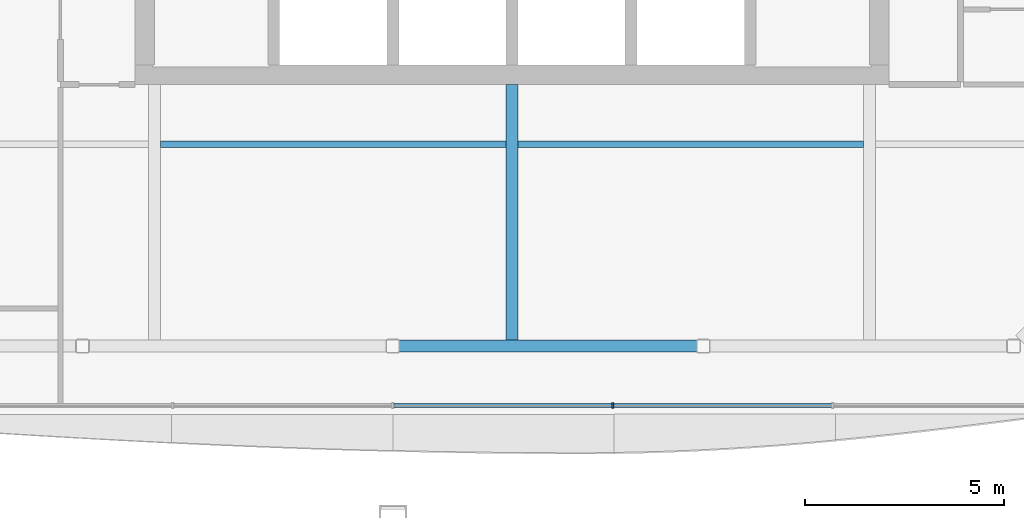
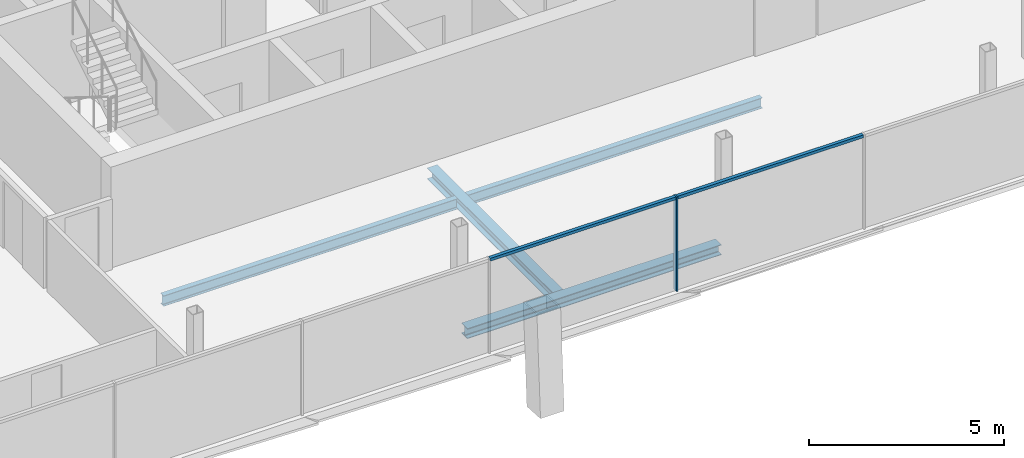
# One storey, part 5 of 20: 4 beams, 3 members, 1 element without a shape of its own.
"""IFC4 building model written with IfcOpenShell, lengths in metres."""

from ifc_helpers import new_model, si_unit, direction, frame, origin, origin_2d, place, context, subcontext, project, spatial, rectangle, i_section, extrude, material, material_profile, profile_set, type_object, element, aggregate, save


model = new_model("IFC4")

# Units and contexts
model_context = context("Model", 3, precision=1e-05, world=origin(), true_north=direction((0.0, 1.0)))
body_context = subcontext(model_context, "Body", "Model", "MODEL_VIEW")
ifc_project = project(units=[si_unit("LENGTHUNIT", "METRE"), si_unit("AREAUNIT", "SQUARE_METRE"), si_unit("VOLUMEUNIT", "CUBIC_METRE"), si_unit("PLANEANGLEUNIT", "RADIAN"), si_unit("MASSUNIT", "GRAM", prefix="KILO")], contexts=[model_context])

# Site, building, storey
site_placement = place(None, origin())
site = spatial("IfcSite", under=ifc_project, at=site_placement, CompositionType="ELEMENT")
building_placement = place(site_placement, origin())
building = spatial("IfcBuilding", under=site, at=building_placement, Name="Tskaro Facet Tower", CompositionType="ELEMENT")
storey_placement = place(building_placement, frame((0.0, 0.0, 194.25)))
storey = spatial("IfcBuildingStorey", under=building, at=storey_placement, Name="L49", CompositionType="ELEMENT", Elevation=194.25)

# Curtain wall, members
ifc_material_1 = material(Name="Bronze anodised aluminium 6063-T6", Category="aluminium")
curtain_wall_type = type_object("IfcCurtainWallType", Name="Bronze residence curtain wall (FW3)", PredefinedType="NOTDEFINED", material=ifc_material_1)
curtain_wall_placement = place(storey_placement, origin())
curtain_wall = element("IfcCurtainWall", 1, at=curtain_wall_placement, inside=storey, type_object=curtain_wall_type, Name="FW3 south facet L49", PredefinedType="NOTDEFINED")
ifc_material_profile_1 = material_profile(ifc_material_1, rectangle(XDim=0.050048828125, YDim=0.139892578125, at=origin_2d()), Name="Mullion 50x140")
ifc_profile_set_1 = profile_set([ifc_material_profile_1], Name="Bronze anodised aluminium 6063-T6")
member_type_1 = type_object("IfcMemberType", Name="FW3 bronze mullion 50x140", PredefinedType="MULLION", material=ifc_profile_set_1)
member_1_placement = place(storey_placement, frame((2.539306640625, -20.080078125, 0.0), z_axis=(0.0, 0.0, 1.0), x_axis=(1.0, 0.0, 0.0)))
member_1 = element("IfcMember", 2, at=member_1_placement, type_object=member_type_1, Name="FW3 south mullion 4", PredefinedType="MULLION", context=body_context, shape_type="SweptSolid", body=[
    extrude(rectangle(XDim=0.050048828125, YDim=0.139892578125, at=origin_2d()), origin(), (0.0, 0.0, 1.0), 2.949951171875),
])
ifc_material_profile_2 = material_profile(ifc_material_1, rectangle(XDim=0.10009765625, YDim=0.090087890625, at=origin_2d()), Name="Transom 100x90")
ifc_profile_set_2 = profile_set([ifc_material_profile_2], Name="Bronze anodised aluminium 6063-T6")
member_type_2 = type_object("IfcMemberType", Name="FW3 bronze transom 100x90", PredefinedType="USERDEFINED", material=ifc_profile_set_2)
member_2_placement = place(storey_placement, frame((-2.97509765625, -20.080078125, 2.905029296875), z_axis=(1.0, 0.0, 0.0), x_axis=(0.0, 1.0, 0.0)))
member_2 = element("IfcMember", 3, at=member_2_placement, type_object=member_type_2, Name="FW3 south transom 4.1", ObjectType="TRANSOM", PredefinedType="USERDEFINED", context=body_context, shape_type="SweptSolid", body=[
    extrude(rectangle(XDim=0.10009765625, YDim=0.090087890625, at=origin_2d()), origin(), (0.0, 0.0, 1.0), 5.489501953125),
])
member_3_placement = place(storey_placement, frame((2.564453125, -20.080078125, 2.905029296875), z_axis=(1.0, 0.0, 0.0), x_axis=(0.0, 1.0, 0.0)))
member_3 = element("IfcMember", 4, at=member_3_placement, type_object=member_type_2, Name="FW3 south transom 5.1", ObjectType="TRANSOM", PredefinedType="USERDEFINED", context=body_context, shape_type="SweptSolid", body=[
    extrude(rectangle(XDim=0.10009765625, YDim=0.090087890625, at=origin_2d()), origin(), (0.0, 0.0, 1.0), 5.4892578125),
])
aggregate(curtain_wall, [member_1, member_2, member_3])

# Beams
ifc_material_2 = material(Name="Steel S355J2", Category="steel")
ifc_material_profile_3 = material_profile(ifc_material_2, i_section(OverallWidth=0.300048828125, OverallDepth=0.320068359375, WebThickness=0.011474609375, FlangeThickness=0.0205078125, FilletRadius=0.027099609375, at=origin_2d()), Name="HE 320 B")
ifc_profile_set_3 = profile_set([ifc_material_profile_3], Name="Steel S355J2")
beam_type_1 = type_object("IfcBeamType", Name="HE 320 B ring beam", PredefinedType="BEAM", material=ifc_profile_set_3)
beam_1_placement = place(storey_placement, frame((-2.844970703125, -18.5830078125, -0.300048828125), z_axis=(1.0, 0.0, 0.0), x_axis=(0.0, 1.0, 0.0)))
element("IfcBeam", 5, at=beam_1_placement, inside=storey, type_object=beam_type_1, Name="HE 320 B EB3-4", PredefinedType="BEAM", context=body_context, shape_type="SweptSolid", body=[
    extrude(i_section(OverallWidth=0.300048828125, OverallDepth=0.320068359375, WebThickness=0.011474609375, FlangeThickness=0.0205078125, FilletRadius=0.027099609375, at=origin_2d()), origin(), (0.0, 0.0, 1.0), 7.507080078125),
])
ifc_material_profile_4 = material_profile(ifc_material_2, i_section(OverallWidth=0.300048828125, OverallDepth=0.35009765625, WebThickness=0.010009765625, FlangeThickness=0.017578125, FilletRadius=0.027099609375, at=origin_2d()), Name="HE 360 A")
ifc_profile_set_4 = profile_set([ifc_material_profile_4], Name="Steel S355J2")
beam_type_2 = type_object("IfcBeamType", Name="HE 360 A girder", PredefinedType="BEAM", material=ifc_profile_set_4)
beam_2_placement = place(storey_placement, frame((0.0, -18.43310546875, -0.31494140625), z_axis=(0.0, 1.0, 0.0), x_axis=(-1.0, 0.0, 0.0)))
element("IfcBeam", 6, at=beam_2_placement, inside=storey, type_object=beam_type_2, Name="HE 360 A GB4-1-4", PredefinedType="BEAM", context=body_context, shape_type="SweptSolid", body=[
    extrude(i_section(OverallWidth=0.300048828125, OverallDepth=0.35009765625, WebThickness=0.010009765625, FlangeThickness=0.017578125, FilletRadius=0.027099609375, at=origin_2d()), origin(), (0.0, 0.0, 1.0), 6.43310546875),
])
ifc_material_profile_5 = material_profile(ifc_material_2, i_section(OverallWidth=0.159912109375, OverallDepth=0.330078125, WebThickness=0.007568359375, FlangeThickness=0.011474609375, FilletRadius=0.01806640625, at=origin_2d()), Name="IPE 330")
ifc_profile_set_5 = profile_set([ifc_material_profile_5], Name="Steel S355J2")
beam_type_3 = type_object("IfcBeamType", Name="IPE 330 secondary beam", PredefinedType="BEAM", material=ifc_profile_set_5)
for number, where, z_axis, x_axis, name in (
    (7, (-8.85009765625, -13.5, -0.304931640625), (1.0, 0.0, 0.0), (0.0, 1.0, 0.0), "IPE 330 SB2a-3-4"),
    (8, (0.14990234375, -13.5, -0.304931640625), (1.0, 0.0, 0.0), (0.0, 1.0, 0.0), "IPE 330 SB2a-4-4"),
):
    element("IfcBeam", number, at=place(storey_placement, frame(where, z_axis=z_axis, x_axis=x_axis)), inside=storey, type_object=beam_type_3, Name=name, PredefinedType="BEAM", context=body_context, shape_type="SweptSolid", body=[
        extrude(i_section(OverallWidth=0.159912109375, OverallDepth=0.330078125, WebThickness=0.007568359375, FlangeThickness=0.011474609375, FilletRadius=0.01806640625, at=origin_2d()), origin(), (0.0, 0.0, 1.0), 8.7001953125),
    ])

save(model, "model.ifc")
